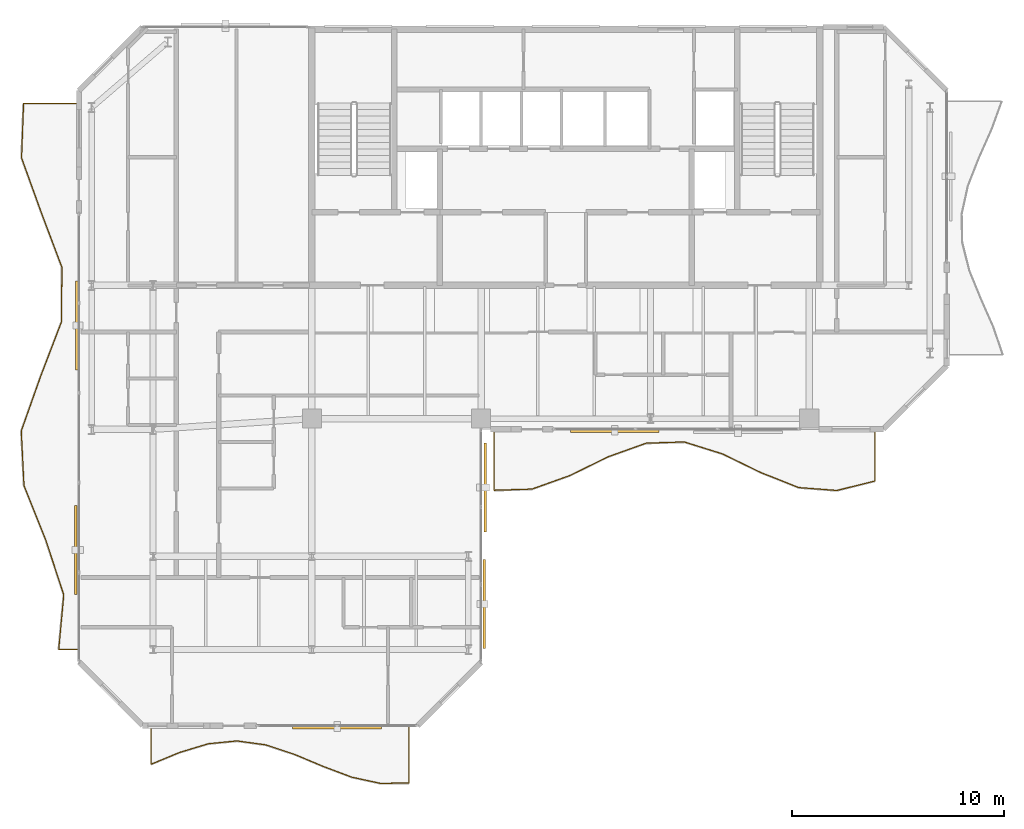
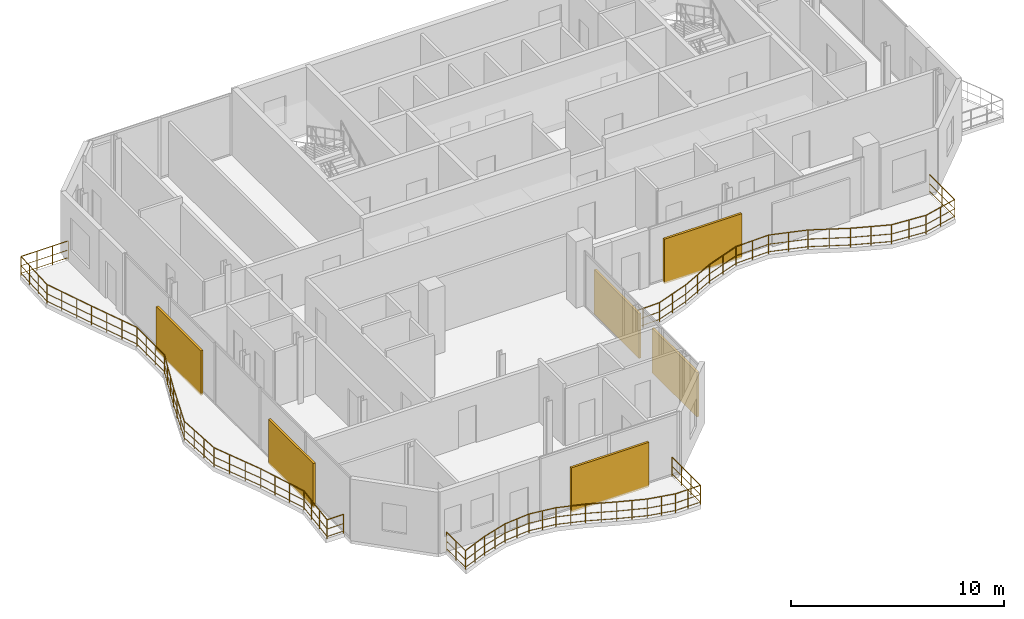
# One storey, part 21 of 23: 6 shading devices, 3 railings.
"""IFC4 building model written with IfcOpenShell, lengths in metres."""

from ifc_helpers import new_model, si_unit, direction, frame, origin, origin_2d, place, context, subcontext, project, spatial, rectangle, circle, extrude, material, type_object, element, save


model = new_model("IFC4")

# Units and contexts
model_context = context("Model", 3, precision=1e-05, world=origin(), true_north=direction((0.0, 1.0)))
body_context = subcontext(model_context, "Body", "Model", "MODEL_VIEW")
ifc_project = project(units=[si_unit("LENGTHUNIT", "METRE"), si_unit("AREAUNIT", "SQUARE_METRE"), si_unit("VOLUMEUNIT", "CUBIC_METRE"), si_unit("PLANEANGLEUNIT", "RADIAN"), si_unit("MASSUNIT", "GRAM", prefix="KILO")], contexts=[model_context])

# Site, building, storey
site_placement = place(None, origin())
site = spatial("IfcSite", under=ifc_project, at=site_placement, CompositionType="ELEMENT")
building_placement = place(site_placement, origin())
building = spatial("IfcBuilding", under=site, at=building_placement, Name="Catumbela Crestline Tower", CompositionType="ELEMENT")
storey_placement = place(building_placement, frame((0.0, 0.0, 245.0)))
storey = spatial("IfcBuildingStorey", under=building, at=storey_placement, Name="L63", CompositionType="ELEMENT", Elevation=245.0)

# Railings
ifc_material_1 = material(Name="Stainless steel EN 1.4401", Category="steel")
railing_type = type_object("IfcRailingType", Name="RB-1100", PredefinedType="BALUSTRADE", material=ifc_material_1)
railing_1_placement = place(storey_placement, frame((24.6, 23.94, 0.0)))
element("IfcRailing", 1, at=railing_1_placement, inside=storey, type_object=railing_type, Name="L63 Private Wave Balcony Balustrade 1", PredefinedType="BALUSTRADE", context=body_context, shape_type="SweptSolid", body=[
    extrude(circle(Radius=0.024, at=origin_2d()), frame((0.0, 0.0, 1.076), z_axis=(0.0, -1.0, 0.0), x_axis=(1.0, 0.0, 0.0)), (0.0, 0.0, 1.0), 2.8213),
    extrude(circle(Radius=0.0156, at=origin_2d()), frame((0.0, 0.0, 0.55), z_axis=(0.0, -1.0, 0.0), x_axis=(1.0, 0.0, 0.0)), (0.0, 0.0, 1.0), 2.8213),
    extrude(circle(Radius=0.0156, at=origin_2d()), frame((0.0, 0.0, 0.12), z_axis=(0.0, -1.0, 0.0), x_axis=(1.0, 0.0, 0.0)), (0.0, 0.0, 1.0), 2.8213),
    extrude(circle(Radius=0.024, at=origin_2d()), frame((0.0, -2.8213, 1.076), z_axis=(0.999524991442, 0.030818687236, 0.0), x_axis=(-0.030818687236, 0.999524991442, 0.0)), (0.0, 0.0, 1.0), 1.8009),
    extrude(circle(Radius=0.0156, at=origin_2d()), frame((0.0, -2.8213, 0.55), z_axis=(0.999524991442, 0.030818687236, 0.0), x_axis=(-0.030818687236, 0.999524991442, 0.0)), (0.0, 0.0, 1.0), 1.8009),
    extrude(circle(Radius=0.0156, at=origin_2d()), frame((0.0, -2.8213, 0.12), z_axis=(0.999524991442, 0.030818687236, 0.0), x_axis=(-0.030818687236, 0.999524991442, 0.0)), (0.0, 0.0, 1.0), 1.8009),
    extrude(circle(Radius=0.024, at=origin_2d()), frame((1.8, -2.7658, 1.076), z_axis=(0.941535818516, 0.336912900392, 0.0), x_axis=(-0.336912900392, 0.941535818516, 0.0)), (0.0, 0.0, 1.0), 1.9118),
    extrude(circle(Radius=0.0156, at=origin_2d()), frame((1.8, -2.7658, 0.55), z_axis=(0.941535818516, 0.336912900392, 0.0), x_axis=(-0.336912900392, 0.941535818516, 0.0)), (0.0, 0.0, 1.0), 1.9118),
    extrude(circle(Radius=0.0156, at=origin_2d()), frame((1.8, -2.7658, 0.12), z_axis=(0.941535818516, 0.336912900392, 0.0), x_axis=(-0.336912900392, 0.941535818516, 0.0)), (0.0, 0.0, 1.0), 1.9118),
    extrude(circle(Radius=0.024, at=origin_2d()), frame((3.6, -2.1217, 1.076), z_axis=(0.897714236936, 0.440578198283, 0.0), x_axis=(-0.440578198283, 0.897714236936, 0.0)), (0.0, 0.0, 1.0), 2.0051),
    extrude(circle(Radius=0.0156, at=origin_2d()), frame((3.6, -2.1217, 0.55), z_axis=(0.897714236936, 0.440578198283, 0.0), x_axis=(-0.440578198283, 0.897714236936, 0.0)), (0.0, 0.0, 1.0), 2.0051),
    extrude(circle(Radius=0.0156, at=origin_2d()), frame((3.6, -2.1217, 0.12), z_axis=(0.897714236936, 0.440578198283, 0.0), x_axis=(-0.440578198283, 0.897714236936, 0.0)), (0.0, 0.0, 1.0), 2.0051),
    extrude(circle(Radius=0.024, at=origin_2d()), frame((5.4, -1.2383, 1.076), z_axis=(0.941535818516, 0.336912900392, 0.0), x_axis=(-0.336912900392, 0.941535818516, 0.0)), (0.0, 0.0, 1.0), 1.9118),
    extrude(circle(Radius=0.0156, at=origin_2d()), frame((5.4, -1.2383, 0.55), z_axis=(0.941535818516, 0.336912900392, 0.0), x_axis=(-0.336912900392, 0.941535818516, 0.0)), (0.0, 0.0, 1.0), 1.9118),
    extrude(circle(Radius=0.0156, at=origin_2d()), frame((5.4, -1.2383, 0.12), z_axis=(0.941535818516, 0.336912900392, 0.0), x_axis=(-0.336912900392, 0.941535818516, 0.0)), (0.0, 0.0, 1.0), 1.9118),
    extrude(circle(Radius=0.024, at=origin_2d()), frame((7.2, -0.5942, 1.076), z_axis=(0.999524991442, 0.030818687236, 0.0), x_axis=(-0.030818687236, 0.999524991442, 0.0)), (0.0, 0.0, 1.0), 1.8009),
    extrude(circle(Radius=0.0156, at=origin_2d()), frame((7.2, -0.5942, 0.55), z_axis=(0.999524991442, 0.030818687236, 0.0), x_axis=(-0.030818687236, 0.999524991442, 0.0)), (0.0, 0.0, 1.0), 1.8009),
    extrude(circle(Radius=0.0156, at=origin_2d()), frame((7.2, -0.5942, 0.12), z_axis=(0.999524991442, 0.030818687236, 0.0), x_axis=(-0.030818687236, 0.999524991442, 0.0)), (0.0, 0.0, 1.0), 1.8009),
    extrude(circle(Radius=0.024, at=origin_2d()), frame((9.0, -0.5387, 1.076), z_axis=(0.954374253933, -0.298613099897, 0.0), x_axis=(0.298613099897, 0.954374253933, 0.0)), (0.0, 0.0, 1.0), 1.8861),
    extrude(circle(Radius=0.0156, at=origin_2d()), frame((9.0, -0.5387, 0.55), z_axis=(0.954374253933, -0.298613099897, 0.0), x_axis=(0.298613099897, 0.954374253933, 0.0)), (0.0, 0.0, 1.0), 1.8861),
    extrude(circle(Radius=0.0156, at=origin_2d()), frame((9.0, -0.5387, 0.12), z_axis=(0.954374253933, -0.298613099897, 0.0), x_axis=(0.298613099897, 0.954374253933, 0.0)), (0.0, 0.0, 1.0), 1.8861),
    extrude(circle(Radius=0.024, at=origin_2d()), frame((10.8, -1.1019, 1.076), z_axis=(0.899073055886, -0.437798629714, 0.0), x_axis=(0.437798629714, 0.899073055886, 0.0)), (0.0, 0.0, 1.0), 2.0021),
    extrude(circle(Radius=0.0156, at=origin_2d()), frame((10.8, -1.1019, 0.55), z_axis=(0.899073055886, -0.437798629714, 0.0), x_axis=(0.437798629714, 0.899073055886, 0.0)), (0.0, 0.0, 1.0), 2.0021),
    extrude(circle(Radius=0.0156, at=origin_2d()), frame((10.8, -1.1019, 0.12), z_axis=(0.899073055886, -0.437798629714, 0.0), x_axis=(0.437798629714, 0.899073055886, 0.0)), (0.0, 0.0, 1.0), 2.0021),
    extrude(circle(Radius=0.024, at=origin_2d()), frame((12.6, -1.9784, 1.076), z_axis=(0.929399644581, -0.369074925526, 0.0), x_axis=(0.369074925526, 0.929399644581, 0.0)), (0.0, 0.0, 1.0), 1.9367),
    extrude(circle(Radius=0.0156, at=origin_2d()), frame((12.6, -1.9784, 0.55), z_axis=(0.929399644581, -0.369074925526, 0.0), x_axis=(0.369074925526, 0.929399644581, 0.0)), (0.0, 0.0, 1.0), 1.9367),
    extrude(circle(Radius=0.0156, at=origin_2d()), frame((12.6, -1.9784, 0.12), z_axis=(0.929399644581, -0.369074925526, 0.0), x_axis=(0.369074925526, 0.929399644581, 0.0)), (0.0, 0.0, 1.0), 1.9367),
    extrude(circle(Radius=0.024, at=origin_2d()), frame((14.4, -2.6932, 1.076), z_axis=(0.9971244509, -0.075781458268, 0.0), x_axis=(0.075781458268, 0.9971244509, 0.0)), (0.0, 0.0, 1.0), 1.8052),
    extrude(circle(Radius=0.0156, at=origin_2d()), frame((14.4, -2.6932, 0.55), z_axis=(0.9971244509, -0.075781458268, 0.0), x_axis=(0.075781458268, 0.9971244509, 0.0)), (0.0, 0.0, 1.0), 1.8052),
    extrude(circle(Radius=0.0156, at=origin_2d()), frame((14.4, -2.6932, 0.12), z_axis=(0.9971244509, -0.075781458268, 0.0), x_axis=(0.075781458268, 0.9971244509, 0.0)), (0.0, 0.0, 1.0), 1.8052),
    extrude(circle(Radius=0.024, at=origin_2d()), frame((16.2, -2.83, 1.076), z_axis=(0.97081135802, 0.239844339395, 0.0), x_axis=(-0.239844339395, 0.97081135802, 0.0)), (0.0, 0.0, 1.0), 1.8541),
    extrude(circle(Radius=0.0156, at=origin_2d()), frame((16.2, -2.83, 0.55), z_axis=(0.97081135802, 0.239844339395, 0.0), x_axis=(-0.239844339395, 0.97081135802, 0.0)), (0.0, 0.0, 1.0), 1.8541),
    extrude(circle(Radius=0.0156, at=origin_2d()), frame((16.2, -2.83, 0.12), z_axis=(0.97081135802, 0.239844339395, 0.0), x_axis=(-0.239844339395, 0.97081135802, 0.0)), (0.0, 0.0, 1.0), 1.8541),
    extrude(circle(Radius=0.024, at=origin_2d()), frame((18.0, -2.3853, 1.076), z_axis=(0.0, 1.0, 0.0), x_axis=(-1.0, 0.0, 0.0)), (0.0, 0.0, 1.0), 2.3853),
    extrude(circle(Radius=0.0156, at=origin_2d()), frame((18.0, -2.3853, 0.55), z_axis=(0.0, 1.0, 0.0), x_axis=(-1.0, 0.0, 0.0)), (0.0, 0.0, 1.0), 2.3853),
    extrude(circle(Radius=0.0156, at=origin_2d()), frame((18.0, -2.3853, 0.12), z_axis=(0.0, 1.0, 0.0), x_axis=(-1.0, 0.0, 0.0)), (0.0, 0.0, 1.0), 2.3853),
    extrude(circle(Radius=0.021, at=origin_2d()), origin(), (0.0, 0.0, 1.0), 1.052),
    extrude(circle(Radius=0.021, at=origin_2d()), frame((0.0, -0.9404, 0.0)), (0.0, 0.0, 1.0), 1.052),
    extrude(circle(Radius=0.021, at=origin_2d()), frame((0.0, -1.8809, 0.0)), (0.0, 0.0, 1.0), 1.052),
    extrude(circle(Radius=0.021, at=origin_2d()), frame((0.0, -2.8213, 0.0)), (0.0, 0.0, 1.0), 1.052),
    extrude(circle(Radius=0.021, at=origin_2d()), frame((0.9, -2.7936, 0.0)), (0.0, 0.0, 1.0), 1.052),
    extrude(circle(Radius=0.021, at=origin_2d()), frame((1.8, -2.7658, 0.0)), (0.0, 0.0, 1.0), 1.052),
    extrude(circle(Radius=0.021, at=origin_2d()), frame((2.7, -2.4438, 0.0)), (0.0, 0.0, 1.0), 1.052),
    extrude(circle(Radius=0.021, at=origin_2d()), frame((3.6, -2.1217, 0.0)), (0.0, 0.0, 1.0), 1.052),
    extrude(circle(Radius=0.021, at=origin_2d()), frame((4.5, -1.68, 0.0)), (0.0, 0.0, 1.0), 1.052),
    extrude(circle(Radius=0.021, at=origin_2d()), frame((5.4, -1.2383, 0.0)), (0.0, 0.0, 1.0), 1.052),
    extrude(circle(Radius=0.021, at=origin_2d()), frame((6.3, -0.9163, 0.0)), (0.0, 0.0, 1.0), 1.052),
    extrude(circle(Radius=0.021, at=origin_2d()), frame((7.2, -0.5942, 0.0)), (0.0, 0.0, 1.0), 1.052),
    extrude(circle(Radius=0.021, at=origin_2d()), frame((8.1, -0.5665, 0.0)), (0.0, 0.0, 1.0), 1.052),
    extrude(circle(Radius=0.021, at=origin_2d()), frame((9.0, -0.5387, 0.0)), (0.0, 0.0, 1.0), 1.052),
    extrude(circle(Radius=0.021, at=origin_2d()), frame((9.9, -0.8203, 0.0)), (0.0, 0.0, 1.0), 1.052),
    extrude(circle(Radius=0.021, at=origin_2d()), frame((10.8, -1.1019, 0.0)), (0.0, 0.0, 1.0), 1.052),
    extrude(circle(Radius=0.021, at=origin_2d()), frame((11.7, -1.5402, 0.0)), (0.0, 0.0, 1.0), 1.052),
    extrude(circle(Radius=0.021, at=origin_2d()), frame((12.6, -1.9784, 0.0)), (0.0, 0.0, 1.0), 1.052),
    extrude(circle(Radius=0.021, at=origin_2d()), frame((13.5, -2.3358, 0.0)), (0.0, 0.0, 1.0), 1.052),
    extrude(circle(Radius=0.021, at=origin_2d()), frame((14.4, -2.6932, 0.0)), (0.0, 0.0, 1.0), 1.052),
    extrude(circle(Radius=0.021, at=origin_2d()), frame((15.3, -2.7616, 0.0)), (0.0, 0.0, 1.0), 1.052),
    extrude(circle(Radius=0.021, at=origin_2d()), frame((16.2, -2.83, 0.0)), (0.0, 0.0, 1.0), 1.052),
    extrude(circle(Radius=0.021, at=origin_2d()), frame((17.1, -2.6077, 0.0)), (0.0, 0.0, 1.0), 1.052),
    extrude(circle(Radius=0.021, at=origin_2d()), frame((18.0, -2.3853, 0.0)), (0.0, 0.0, 1.0), 1.052),
    extrude(circle(Radius=0.021, at=origin_2d()), frame((18.0, -1.1927, 0.0)), (0.0, 0.0, 1.0), 1.052),
    extrude(circle(Radius=0.021, at=origin_2d()), frame((18.0, 0.0, 0.0)), (0.0, 0.0, 1.0), 1.052),
])
railing_2_placement = place(storey_placement, frame((8.4, 9.94, 0.0)))
element("IfcRailing", 2, at=railing_2_placement, inside=storey, type_object=railing_type, Name="L63 Private Wave Balcony Balustrade 3", PredefinedType="BALUSTRADE", context=body_context, shape_type="SweptSolid", body=[
    extrude(circle(Radius=0.024, at=origin_2d()), frame((0.0, 0.0, 1.076), z_axis=(0.0, -1.0, 0.0), x_axis=(1.0, 0.0, 0.0)), (0.0, 0.0, 1.0), 1.7666),
    extrude(circle(Radius=0.0156, at=origin_2d()), frame((0.0, 0.0, 0.55), z_axis=(0.0, -1.0, 0.0), x_axis=(1.0, 0.0, 0.0)), (0.0, 0.0, 1.0), 1.7666),
    extrude(circle(Radius=0.0156, at=origin_2d()), frame((0.0, 0.0, 0.12), z_axis=(0.0, -1.0, 0.0), x_axis=(1.0, 0.0, 0.0)), (0.0, 0.0, 1.0), 1.7666),
    extrude(circle(Radius=0.024, at=origin_2d()), frame((0.0, -1.7666, 1.076), z_axis=(0.9241944748, 0.381922207718, 0.0), x_axis=(-0.381922207718, 0.9241944748, 0.0)), (0.0, 0.0, 1.0), 1.4668),
    extrude(circle(Radius=0.0156, at=origin_2d()), frame((0.0, -1.7666, 0.55), z_axis=(0.9241944748, 0.381922207718, 0.0), x_axis=(-0.381922207718, 0.9241944748, 0.0)), (0.0, 0.0, 1.0), 1.4668),
    extrude(circle(Radius=0.0156, at=origin_2d()), frame((0.0, -1.7666, 0.12), z_axis=(0.9241944748, 0.381922207718, 0.0), x_axis=(-0.381922207718, 0.9241944748, 0.0)), (0.0, 0.0, 1.0), 1.4668),
    extrude(circle(Radius=0.024, at=origin_2d()), frame((1.3556, -1.2064, 1.076), z_axis=(0.956878824699, 0.290487374669, 0.0), x_axis=(-0.290487374669, 0.956878824699, 0.0)), (0.0, 0.0, 1.0), 1.4166),
    extrude(circle(Radius=0.0156, at=origin_2d()), frame((1.3556, -1.2064, 0.55), z_axis=(0.956878824699, 0.290487374669, 0.0), x_axis=(-0.290487374669, 0.956878824699, 0.0)), (0.0, 0.0, 1.0), 1.4166),
    extrude(circle(Radius=0.0156, at=origin_2d()), frame((1.3556, -1.2064, 0.12), z_axis=(0.956878824699, 0.290487374669, 0.0), x_axis=(-0.290487374669, 0.956878824699, 0.0)), (0.0, 0.0, 1.0), 1.4166),
    extrude(circle(Radius=0.024, at=origin_2d()), frame((2.7111, -0.7949, 1.076), z_axis=(0.995171465937, 0.098151685597, 0.0), x_axis=(-0.098151685597, 0.995171465937, 0.0)), (0.0, 0.0, 1.0), 1.3622),
    extrude(circle(Radius=0.0156, at=origin_2d()), frame((2.7111, -0.7949, 0.55), z_axis=(0.995171465937, 0.098151685597, 0.0), x_axis=(-0.098151685597, 0.995171465937, 0.0)), (0.0, 0.0, 1.0), 1.3622),
    extrude(circle(Radius=0.0156, at=origin_2d()), frame((2.7111, -0.7949, 0.12), z_axis=(0.995171465937, 0.098151685597, 0.0), x_axis=(-0.098151685597, 0.995171465937, 0.0)), (0.0, 0.0, 1.0), 1.3622),
    extrude(circle(Radius=0.024, at=origin_2d()), frame((4.0667, -0.6612, 1.076), z_axis=(0.990716405588, -0.135944855359, 0.0), x_axis=(0.135944855359, 0.990716405588, 0.0)), (0.0, 0.0, 1.0), 1.3682),
    extrude(circle(Radius=0.0156, at=origin_2d()), frame((4.0667, -0.6612, 0.55), z_axis=(0.990716405588, -0.135944855359, 0.0), x_axis=(0.135944855359, 0.990716405588, 0.0)), (0.0, 0.0, 1.0), 1.3682),
    extrude(circle(Radius=0.0156, at=origin_2d()), frame((4.0667, -0.6612, 0.12), z_axis=(0.990716405588, -0.135944855359, 0.0), x_axis=(0.135944855359, 0.990716405588, 0.0)), (0.0, 0.0, 1.0), 1.3682),
    extrude(circle(Radius=0.024, at=origin_2d()), frame((5.4222, -0.8472, 1.076), z_axis=(0.949617808212, -0.313410303478, 0.0), x_axis=(0.313410303478, 0.949617808212, 0.0)), (0.0, 0.0, 1.0), 1.4275),
    extrude(circle(Radius=0.0156, at=origin_2d()), frame((5.4222, -0.8472, 0.55), z_axis=(0.949617808212, -0.313410303478, 0.0), x_axis=(0.313410303478, 0.949617808212, 0.0)), (0.0, 0.0, 1.0), 1.4275),
    extrude(circle(Radius=0.0156, at=origin_2d()), frame((5.4222, -0.8472, 0.12), z_axis=(0.949617808212, -0.313410303478, 0.0), x_axis=(0.313410303478, 0.949617808212, 0.0)), (0.0, 0.0, 1.0), 1.4275),
    extrude(circle(Radius=0.024, at=origin_2d()), frame((6.7778, -1.2946, 1.076), z_axis=(0.922227252503, -0.386648282993, 0.0), x_axis=(0.386648282993, 0.922227252503, 0.0)), (0.0, 0.0, 1.0), 1.4698),
    extrude(circle(Radius=0.0156, at=origin_2d()), frame((6.7778, -1.2946, 0.55), z_axis=(0.922227252503, -0.386648282993, 0.0), x_axis=(0.386648282993, 0.922227252503, 0.0)), (0.0, 0.0, 1.0), 1.4698),
    extrude(circle(Radius=0.0156, at=origin_2d()), frame((6.7778, -1.2946, 0.12), z_axis=(0.922227252503, -0.386648282993, 0.0), x_axis=(0.386648282993, 0.922227252503, 0.0)), (0.0, 0.0, 1.0), 1.4698),
    extrude(circle(Radius=0.024, at=origin_2d()), frame((8.1333, -1.8629, 1.076), z_axis=(0.935726420606, -0.352726616206, 0.0), x_axis=(0.352726616206, 0.935726420606, 0.0)), (0.0, 0.0, 1.0), 1.4487),
    extrude(circle(Radius=0.0156, at=origin_2d()), frame((8.1333, -1.8629, 0.55), z_axis=(0.935726420606, -0.352726616206, 0.0), x_axis=(0.352726616206, 0.935726420606, 0.0)), (0.0, 0.0, 1.0), 1.4487),
    extrude(circle(Radius=0.0156, at=origin_2d()), frame((8.1333, -1.8629, 0.12), z_axis=(0.935726420606, -0.352726616206, 0.0), x_axis=(0.352726616206, 0.935726420606, 0.0)), (0.0, 0.0, 1.0), 1.4487),
    extrude(circle(Radius=0.024, at=origin_2d()), frame((9.4889, -2.3739, 1.076), z_axis=(0.977396450003, -0.211414709805, 0.0), x_axis=(0.211414709805, 0.977396450003, 0.0)), (0.0, 0.0, 1.0), 1.3868),
    extrude(circle(Radius=0.0156, at=origin_2d()), frame((9.4889, -2.3739, 0.55), z_axis=(0.977396450003, -0.211414709805, 0.0), x_axis=(0.211414709805, 0.977396450003, 0.0)), (0.0, 0.0, 1.0), 1.3868),
    extrude(circle(Radius=0.0156, at=origin_2d()), frame((9.4889, -2.3739, 0.12), z_axis=(0.977396450003, -0.211414709805, 0.0), x_axis=(0.211414709805, 0.977396450003, 0.0)), (0.0, 0.0, 1.0), 1.3868),
    extrude(circle(Radius=0.024, at=origin_2d()), frame((10.8444, -2.6671, 1.076), z_axis=(0.999924126451, 0.012318333514, 0.0), x_axis=(-0.012318333514, 0.999924126451, 0.0)), (0.0, 0.0, 1.0), 1.3557),
    extrude(circle(Radius=0.0156, at=origin_2d()), frame((10.8444, -2.6671, 0.55), z_axis=(0.999924126451, 0.012318333514, 0.0), x_axis=(-0.012318333514, 0.999924126451, 0.0)), (0.0, 0.0, 1.0), 1.3557),
    extrude(circle(Radius=0.0156, at=origin_2d()), frame((10.8444, -2.6671, 0.12), z_axis=(0.999924126451, 0.012318333514, 0.0), x_axis=(-0.012318333514, 0.999924126451, 0.0)), (0.0, 0.0, 1.0), 1.3557),
    extrude(circle(Radius=0.024, at=origin_2d()), frame((12.2, -2.6504, 1.076), z_axis=(0.0, 1.0, 0.0), x_axis=(-1.0, 0.0, 0.0)), (0.0, 0.0, 1.0), 2.6504),
    extrude(circle(Radius=0.0156, at=origin_2d()), frame((12.2, -2.6504, 0.55), z_axis=(0.0, 1.0, 0.0), x_axis=(-1.0, 0.0, 0.0)), (0.0, 0.0, 1.0), 2.6504),
    extrude(circle(Radius=0.0156, at=origin_2d()), frame((12.2, -2.6504, 0.12), z_axis=(0.0, 1.0, 0.0), x_axis=(-1.0, 0.0, 0.0)), (0.0, 0.0, 1.0), 2.6504),
    extrude(circle(Radius=0.021, at=origin_2d()), origin(), (0.0, 0.0, 1.0), 1.052),
    extrude(circle(Radius=0.021, at=origin_2d()), frame((0.0, -0.8833, 0.0)), (0.0, 0.0, 1.0), 1.052),
    extrude(circle(Radius=0.021, at=origin_2d()), frame((0.0, -1.7666, 0.0)), (0.0, 0.0, 1.0), 1.052),
    extrude(circle(Radius=0.021, at=origin_2d()), frame((0.6778, -1.4865, 0.0)), (0.0, 0.0, 1.0), 1.052),
    extrude(circle(Radius=0.021, at=origin_2d()), frame((1.3556, -1.2064, 0.0)), (0.0, 0.0, 1.0), 1.052),
    extrude(circle(Radius=0.021, at=origin_2d()), frame((2.0333, -1.0007, 0.0)), (0.0, 0.0, 1.0), 1.052),
    extrude(circle(Radius=0.021, at=origin_2d()), frame((2.7111, -0.7949, 0.0)), (0.0, 0.0, 1.0), 1.052),
    extrude(circle(Radius=0.021, at=origin_2d()), frame((3.3889, -0.728, 0.0)), (0.0, 0.0, 1.0), 1.052),
    extrude(circle(Radius=0.021, at=origin_2d()), frame((4.0667, -0.6612, 0.0)), (0.0, 0.0, 1.0), 1.052),
    extrude(circle(Radius=0.021, at=origin_2d()), frame((4.7444, -0.7542, 0.0)), (0.0, 0.0, 1.0), 1.052),
    extrude(circle(Radius=0.021, at=origin_2d()), frame((5.4222, -0.8472, 0.0)), (0.0, 0.0, 1.0), 1.052),
    extrude(circle(Radius=0.021, at=origin_2d()), frame((6.1, -1.0709, 0.0)), (0.0, 0.0, 1.0), 1.052),
    extrude(circle(Radius=0.021, at=origin_2d()), frame((6.7778, -1.2946, 0.0)), (0.0, 0.0, 1.0), 1.052),
    extrude(circle(Radius=0.021, at=origin_2d()), frame((7.4556, -1.5787, 0.0)), (0.0, 0.0, 1.0), 1.052),
    extrude(circle(Radius=0.021, at=origin_2d()), frame((8.1333, -1.8629, 0.0)), (0.0, 0.0, 1.0), 1.052),
    extrude(circle(Radius=0.021, at=origin_2d()), frame((8.8111, -2.1184, 0.0)), (0.0, 0.0, 1.0), 1.052),
    extrude(circle(Radius=0.021, at=origin_2d()), frame((9.4889, -2.3739, 0.0)), (0.0, 0.0, 1.0), 1.052),
    extrude(circle(Radius=0.021, at=origin_2d()), frame((10.1666, -2.5205, 0.0)), (0.0, 0.0, 1.0), 1.052),
    extrude(circle(Radius=0.021, at=origin_2d()), frame((10.8444, -2.6671, 0.0)), (0.0, 0.0, 1.0), 1.052),
    extrude(circle(Radius=0.021, at=origin_2d()), frame((11.5222, -2.6587, 0.0)), (0.0, 0.0, 1.0), 1.052),
    extrude(circle(Radius=0.021, at=origin_2d()), frame((12.2, -2.6504, 0.0)), (0.0, 0.0, 1.0), 1.052),
    extrude(circle(Radius=0.021, at=origin_2d()), frame((12.2, -1.7669, 0.0)), (0.0, 0.0, 1.0), 1.052),
    extrude(circle(Radius=0.021, at=origin_2d()), frame((12.2, -0.8835, 0.0)), (0.0, 0.0, 1.0), 1.052),
    extrude(circle(Radius=0.021, at=origin_2d()), frame((12.2, 0.0, 0.0)), (0.0, 0.0, 1.0), 1.052),
])
railing_3_placement = place(storey_placement, frame((4.94, 39.4, 0.0)))
element("IfcRailing", 3, at=railing_3_placement, inside=storey, type_object=railing_type, Name="L63 Private Wave Balcony Balustrade 4", PredefinedType="BALUSTRADE", context=body_context, shape_type="SweptSolid", body=[
    extrude(circle(Radius=0.024, at=origin_2d()), frame((0.0, 0.0, 1.076), z_axis=(-1.0, 0.0, 0.0), x_axis=(0.0, -1.0, 0.0)), (0.0, 0.0, 1.0), 2.5549),
    extrude(circle(Radius=0.0156, at=origin_2d()), frame((0.0, 0.0, 0.55), z_axis=(-1.0, 0.0, 0.0), x_axis=(0.0, -1.0, 0.0)), (0.0, 0.0, 1.0), 2.5549),
    extrude(circle(Radius=0.0156, at=origin_2d()), frame((0.0, 0.0, 0.12), z_axis=(-1.0, 0.0, 0.0), x_axis=(0.0, -1.0, 0.0)), (0.0, 0.0, 1.0), 2.5549),
    extrude(circle(Radius=0.024, at=origin_2d()), frame((-2.5549, 0.0, 1.076), z_axis=(-0.037028851637, -0.99931419691, 0.0), x_axis=(0.99931419691, -0.037028851637, 0.0)), (0.0, 0.0, 1.0), 2.5818),
    extrude(circle(Radius=0.0156, at=origin_2d()), frame((-2.5549, 0.0, 0.55), z_axis=(-0.037028851637, -0.99931419691, 0.0), x_axis=(0.99931419691, -0.037028851637, 0.0)), (0.0, 0.0, 1.0), 2.5818),
    extrude(circle(Radius=0.0156, at=origin_2d()), frame((-2.5549, 0.0, 0.12), z_axis=(-0.037028851637, -0.99931419691, 0.0), x_axis=(0.99931419691, -0.037028851637, 0.0)), (0.0, 0.0, 1.0), 2.5818),
    extrude(circle(Radius=0.024, at=origin_2d()), frame((-2.6505, -2.58, 1.076), z_axis=(0.339655213752, -0.940550017687, 0.0), x_axis=(0.940550017687, 0.339655213752, 0.0)), (0.0, 0.0, 1.0), 2.7431),
    extrude(circle(Radius=0.0156, at=origin_2d()), frame((-2.6505, -2.58, 0.55), z_axis=(0.339655213752, -0.940550017687, 0.0), x_axis=(0.940550017687, 0.339655213752, 0.0)), (0.0, 0.0, 1.0), 2.7431),
    extrude(circle(Radius=0.0156, at=origin_2d()), frame((-2.6505, -2.58, 0.12), z_axis=(0.339655213752, -0.940550017687, 0.0), x_axis=(0.940550017687, 0.339655213752, 0.0)), (0.0, 0.0, 1.0), 2.7431),
    extrude(circle(Radius=0.024, at=origin_2d()), frame((-1.7188, -5.16, 1.076), z_axis=(0.352808059203, -0.935695716225, 0.0), x_axis=(0.935695716225, 0.352808059203, 0.0)), (0.0, 0.0, 1.0), 2.7573),
    extrude(circle(Radius=0.0156, at=origin_2d()), frame((-1.7188, -5.16, 0.55), z_axis=(0.352808059203, -0.935695716225, 0.0), x_axis=(0.935695716225, 0.352808059203, 0.0)), (0.0, 0.0, 1.0), 2.7573),
    extrude(circle(Radius=0.0156, at=origin_2d()), frame((-1.7188, -5.16, 0.12), z_axis=(0.352808059203, -0.935695716225, 0.0), x_axis=(0.935695716225, 0.352808059203, 0.0)), (0.0, 0.0, 1.0), 2.7573),
    extrude(circle(Radius=0.024, at=origin_2d()), frame((-0.746, -7.74, 1.076), z_axis=(-0.00616267367, -0.999981010546, 0.0), x_axis=(0.999981010546, -0.00616267367, 0.0)), (0.0, 0.0, 1.0), 2.58),
    extrude(circle(Radius=0.0156, at=origin_2d()), frame((-0.746, -7.74, 0.55), z_axis=(-0.00616267367, -0.999981010546, 0.0), x_axis=(0.999981010546, -0.00616267367, 0.0)), (0.0, 0.0, 1.0), 2.58),
    extrude(circle(Radius=0.0156, at=origin_2d()), frame((-0.746, -7.74, 0.12), z_axis=(-0.00616267367, -0.999981010546, 0.0), x_axis=(0.999981010546, -0.00616267367, 0.0)), (0.0, 0.0, 1.0), 2.58),
    extrude(circle(Radius=0.024, at=origin_2d()), frame((-0.7619, -10.32, 1.076), z_axis=(-0.357557264627, -0.933891215567, 0.0), x_axis=(0.933891215567, -0.357557264627, 0.0)), (0.0, 0.0, 1.0), 2.7626),
    extrude(circle(Radius=0.0156, at=origin_2d()), frame((-0.7619, -10.32, 0.55), z_axis=(-0.357557264627, -0.933891215567, 0.0), x_axis=(0.933891215567, -0.357557264627, 0.0)), (0.0, 0.0, 1.0), 2.7626),
    extrude(circle(Radius=0.0156, at=origin_2d()), frame((-0.7619, -10.32, 0.12), z_axis=(-0.357557264627, -0.933891215567, 0.0), x_axis=(0.933891215567, -0.357557264627, 0.0)), (0.0, 0.0, 1.0), 2.7626),
    extrude(circle(Radius=0.024, at=origin_2d()), frame((-1.7497, -12.9, 1.076), z_axis=(-0.333928298196, -0.942598478496, 0.0), x_axis=(0.942598478496, -0.333928298196, 0.0)), (0.0, 0.0, 1.0), 2.7371),
    extrude(circle(Radius=0.0156, at=origin_2d()), frame((-1.7497, -12.9, 0.55), z_axis=(-0.333928298196, -0.942598478496, 0.0), x_axis=(0.942598478496, -0.333928298196, 0.0)), (0.0, 0.0, 1.0), 2.7371),
    extrude(circle(Radius=0.0156, at=origin_2d()), frame((-1.7497, -12.9, 0.12), z_axis=(-0.333928298196, -0.942598478496, 0.0), x_axis=(0.942598478496, -0.333928298196, 0.0)), (0.0, 0.0, 1.0), 2.7371),
    extrude(circle(Radius=0.024, at=origin_2d()), frame((-2.6637, -15.48, 1.076), z_axis=(0.049319751692, -0.998783040551, 0.0), x_axis=(0.998783040551, 0.049319751692, 0.0)), (0.0, 0.0, 1.0), 2.5831),
    extrude(circle(Radius=0.0156, at=origin_2d()), frame((-2.6637, -15.48, 0.55), z_axis=(0.049319751692, -0.998783040551, 0.0), x_axis=(0.998783040551, 0.049319751692, 0.0)), (0.0, 0.0, 1.0), 2.5831),
    extrude(circle(Radius=0.0156, at=origin_2d()), frame((-2.6637, -15.48, 0.12), z_axis=(0.049319751692, -0.998783040551, 0.0), x_axis=(0.998783040551, 0.049319751692, 0.0)), (0.0, 0.0, 1.0), 2.5831),
    extrude(circle(Radius=0.024, at=origin_2d()), frame((-2.5363, -18.06, 1.076), z_axis=(0.371948901038, -0.928253206306, 0.0), x_axis=(0.928253206306, 0.371948901038, 0.0)), (0.0, 0.0, 1.0), 2.7794),
    extrude(circle(Radius=0.0156, at=origin_2d()), frame((-2.5363, -18.06, 0.55), z_axis=(0.371948901038, -0.928253206306, 0.0), x_axis=(0.928253206306, 0.371948901038, 0.0)), (0.0, 0.0, 1.0), 2.7794),
    extrude(circle(Radius=0.0156, at=origin_2d()), frame((-2.5363, -18.06, 0.12), z_axis=(0.371948901038, -0.928253206306, 0.0), x_axis=(0.928253206306, 0.371948901038, 0.0)), (0.0, 0.0, 1.0), 2.7794),
    extrude(circle(Radius=0.024, at=origin_2d()), frame((-1.5025, -20.64, 1.076), z_axis=(0.311583379126, -0.950218815775, 0.0), x_axis=(0.950218815775, 0.311583379126, 0.0)), (0.0, 0.0, 1.0), 2.7152),
    extrude(circle(Radius=0.0156, at=origin_2d()), frame((-1.5025, -20.64, 0.55), z_axis=(0.311583379126, -0.950218815775, 0.0), x_axis=(0.950218815775, 0.311583379126, 0.0)), (0.0, 0.0, 1.0), 2.7152),
    extrude(circle(Radius=0.0156, at=origin_2d()), frame((-1.5025, -20.64, 0.12), z_axis=(0.311583379126, -0.950218815775, 0.0), x_axis=(0.950218815775, 0.311583379126, 0.0)), (0.0, 0.0, 1.0), 2.7152),
    extrude(circle(Radius=0.024, at=origin_2d()), frame((-0.6565, -23.22, 1.076), z_axis=(-0.091666691706, -0.995789745695, 0.0), x_axis=(0.995789745695, -0.091666691706, 0.0)), (0.0, 0.0, 1.0), 2.5909),
    extrude(circle(Radius=0.0156, at=origin_2d()), frame((-0.6565, -23.22, 0.55), z_axis=(-0.091666691706, -0.995789745695, 0.0), x_axis=(0.995789745695, -0.091666691706, 0.0)), (0.0, 0.0, 1.0), 2.5909),
    extrude(circle(Radius=0.0156, at=origin_2d()), frame((-0.6565, -23.22, 0.12), z_axis=(-0.091666691706, -0.995789745695, 0.0), x_axis=(0.995789745695, -0.091666691706, 0.0)), (0.0, 0.0, 1.0), 2.5909),
    extrude(circle(Radius=0.024, at=origin_2d()), frame((-0.894, -25.8, 1.076), z_axis=(1.0, 0.0, 0.0), x_axis=(0.0, 1.0, 0.0)), (0.0, 0.0, 1.0), 0.894),
    extrude(circle(Radius=0.0156, at=origin_2d()), frame((-0.894, -25.8, 0.55), z_axis=(1.0, 0.0, 0.0), x_axis=(0.0, 1.0, 0.0)), (0.0, 0.0, 1.0), 0.894),
    extrude(circle(Radius=0.0156, at=origin_2d()), frame((-0.894, -25.8, 0.12), z_axis=(1.0, 0.0, 0.0), x_axis=(0.0, 1.0, 0.0)), (0.0, 0.0, 1.0), 0.894),
    extrude(circle(Radius=0.021, at=origin_2d()), origin(), (0.0, 0.0, 1.0), 1.052),
    extrude(circle(Radius=0.021, at=origin_2d()), frame((-0.8516, 0.0, 0.0)), (0.0, 0.0, 1.0), 1.052),
    extrude(circle(Radius=0.021, at=origin_2d()), frame((-1.7033, 0.0, 0.0)), (0.0, 0.0, 1.0), 1.052),
    extrude(circle(Radius=0.021, at=origin_2d()), frame((-2.5549, 0.0, 0.0)), (0.0, 0.0, 1.0), 1.052),
    extrude(circle(Radius=0.021, at=origin_2d()), frame((-2.5868, -0.86, 0.0)), (0.0, 0.0, 1.0), 1.052),
    extrude(circle(Radius=0.021, at=origin_2d()), frame((-2.6186, -1.72, 0.0)), (0.0, 0.0, 1.0), 1.052),
    extrude(circle(Radius=0.021, at=origin_2d()), frame((-2.6505, -2.58, 0.0)), (0.0, 0.0, 1.0), 1.052),
    extrude(circle(Radius=0.021, at=origin_2d()), frame((-2.3399, -3.44, 0.0)), (0.0, 0.0, 1.0), 1.052),
    extrude(circle(Radius=0.021, at=origin_2d()), frame((-2.0294, -4.3, 0.0)), (0.0, 0.0, 1.0), 1.052),
    extrude(circle(Radius=0.021, at=origin_2d()), frame((-1.7188, -5.16, 0.0)), (0.0, 0.0, 1.0), 1.052),
    extrude(circle(Radius=0.021, at=origin_2d()), frame((-1.3945, -6.02, 0.0)), (0.0, 0.0, 1.0), 1.052),
    extrude(circle(Radius=0.021, at=origin_2d()), frame((-1.0703, -6.88, 0.0)), (0.0, 0.0, 1.0), 1.052),
    extrude(circle(Radius=0.021, at=origin_2d()), frame((-0.746, -7.74, 0.0)), (0.0, 0.0, 1.0), 1.052),
    extrude(circle(Radius=0.021, at=origin_2d()), frame((-0.7513, -8.6, 0.0)), (0.0, 0.0, 1.0), 1.052),
    extrude(circle(Radius=0.021, at=origin_2d()), frame((-0.7566, -9.46, 0.0)), (0.0, 0.0, 1.0), 1.052),
    extrude(circle(Radius=0.021, at=origin_2d()), frame((-0.7619, -10.32, 0.0)), (0.0, 0.0, 1.0), 1.052),
    extrude(circle(Radius=0.021, at=origin_2d()), frame((-1.0912, -11.18, 0.0)), (0.0, 0.0, 1.0), 1.052),
    extrude(circle(Radius=0.021, at=origin_2d()), frame((-1.4204, -12.04, 0.0)), (0.0, 0.0, 1.0), 1.052),
    extrude(circle(Radius=0.021, at=origin_2d()), frame((-1.7497, -12.9, 0.0)), (0.0, 0.0, 1.0), 1.052),
    extrude(circle(Radius=0.021, at=origin_2d()), frame((-2.0544, -13.76, 0.0)), (0.0, 0.0, 1.0), 1.052),
    extrude(circle(Radius=0.021, at=origin_2d()), frame((-2.359, -14.62, 0.0)), (0.0, 0.0, 1.0), 1.052),
    extrude(circle(Radius=0.021, at=origin_2d()), frame((-2.6637, -15.48, 0.0)), (0.0, 0.0, 1.0), 1.052),
    extrude(circle(Radius=0.021, at=origin_2d()), frame((-2.6212, -16.34, 0.0)), (0.0, 0.0, 1.0), 1.052),
    extrude(circle(Radius=0.021, at=origin_2d()), frame((-2.5788, -17.2, 0.0)), (0.0, 0.0, 1.0), 1.052),
    extrude(circle(Radius=0.021, at=origin_2d()), frame((-2.5363, -18.06, 0.0)), (0.0, 0.0, 1.0), 1.052),
    extrude(circle(Radius=0.021, at=origin_2d()), frame((-2.1917, -18.92, 0.0)), (0.0, 0.0, 1.0), 1.052),
    extrude(circle(Radius=0.021, at=origin_2d()), frame((-1.8471, -19.78, 0.0)), (0.0, 0.0, 1.0), 1.052),
    extrude(circle(Radius=0.021, at=origin_2d()), frame((-1.5025, -20.64, 0.0)), (0.0, 0.0, 1.0), 1.052),
    extrude(circle(Radius=0.021, at=origin_2d()), frame((-1.2205, -21.5, 0.0)), (0.0, 0.0, 1.0), 1.052),
    extrude(circle(Radius=0.021, at=origin_2d()), frame((-0.9385, -22.36, 0.0)), (0.0, 0.0, 1.0), 1.052),
    extrude(circle(Radius=0.021, at=origin_2d()), frame((-0.6565, -23.22, 0.0)), (0.0, 0.0, 1.0), 1.052),
    extrude(circle(Radius=0.021, at=origin_2d()), frame((-0.7357, -24.08, 0.0)), (0.0, 0.0, 1.0), 1.052),
    extrude(circle(Radius=0.021, at=origin_2d()), frame((-0.8148, -24.94, 0.0)), (0.0, 0.0, 1.0), 1.052),
    extrude(circle(Radius=0.021, at=origin_2d()), frame((-0.894, -25.8, 0.0)), (0.0, 0.0, 1.0), 1.052),
    extrude(circle(Radius=0.021, at=origin_2d()), frame((0.0, -25.8, 0.0)), (0.0, 0.0, 1.0), 1.052),
])

# Shading devices
ifc_material_2 = material(Name="Extruded terracotta ceramic", Category="masonry")
shading_device_type_1 = type_object("IfcShadingDeviceType", Name="ST-180", PredefinedType="USERDEFINED", material=ifc_material_2)
for number, where, z_axis, x_axis, name in (
    (4, (17.2, 9.901, -0.1), (0.0, 0.0, 1.0), (1.0, 0.0, 0.0), "L63 Perforated Terracotta Solar Screen 759 (180 mm)"),
    (5, (30.3125, 23.901, -0.1), (0.0, 0.0, 1.0), (1.0, 0.0, 0.0), "L63 Perforated Terracotta Solar Screen 762 (180 mm)"),
    (6, (4.901, 28.9, -0.1), (0.0, 0.0, 1.0), (0.0, -1.0, 0.0), "L63 Perforated Terracotta Solar Screen 766 (180 mm)"),
):
    element("IfcShadingDevice", number, at=place(storey_placement, frame(where, z_axis=z_axis, x_axis=x_axis)), inside=storey, type_object=shading_device_type_1, Name=name, ObjectType="SCREEN", PredefinedType="USERDEFINED", context=body_context, shape_type="SweptSolid", body=[
        extrude(rectangle(XDim=4.2, YDim=0.12, at=origin_2d()), origin(), (0.0, 0.0, 1.0), 2.55),
    ])
shading_device_type_2 = type_object("IfcShadingDeviceType", Name="ST-260", PredefinedType="USERDEFINED", material=ifc_material_2)
for number, where, z_axis, x_axis, name in (
    (7, (24.143, 15.75, -0.1), (0.0, 0.0, 1.0), (0.0, 1.0, 0.0), "L63 Perforated Terracotta Solar Screen 760 (260 mm)"),
    (8, (4.857, 18.3, -0.1), (0.0, 0.0, 1.0), (0.0, -1.0, 0.0), "L63 Perforated Terracotta Solar Screen 767 (260 mm)"),
):
    element("IfcShadingDevice", number, at=place(storey_placement, frame(where, z_axis=z_axis, x_axis=x_axis)), inside=storey, type_object=shading_device_type_2, Name=name, ObjectType="SCREEN", PredefinedType="USERDEFINED", context=body_context, shape_type="SweptSolid", body=[
        extrude(rectangle(XDim=4.2, YDim=0.12, at=origin_2d()), origin(), (0.0, 0.0, 1.0), 2.55),
    ])
shading_device_type_3 = type_object("IfcShadingDeviceType", Name="ST-340", PredefinedType="USERDEFINED", material=ifc_material_2)
shading_device_placement = place(storey_placement, frame((24.187, 21.25, -0.1), z_axis=(0.0, 0.0, 1.0), x_axis=(0.0, 1.0, 0.0)))
element("IfcShadingDevice", 9, at=shading_device_placement, inside=storey, type_object=shading_device_type_3, Name="L63 Perforated Terracotta Solar Screen 761 (340 mm)", ObjectType="SCREEN", PredefinedType="USERDEFINED", context=body_context, shape_type="SweptSolid", body=[
    extrude(rectangle(XDim=4.2, YDim=0.12, at=origin_2d()), origin(), (0.0, 0.0, 1.0), 2.55),
])

save(model, "model.ifc")
